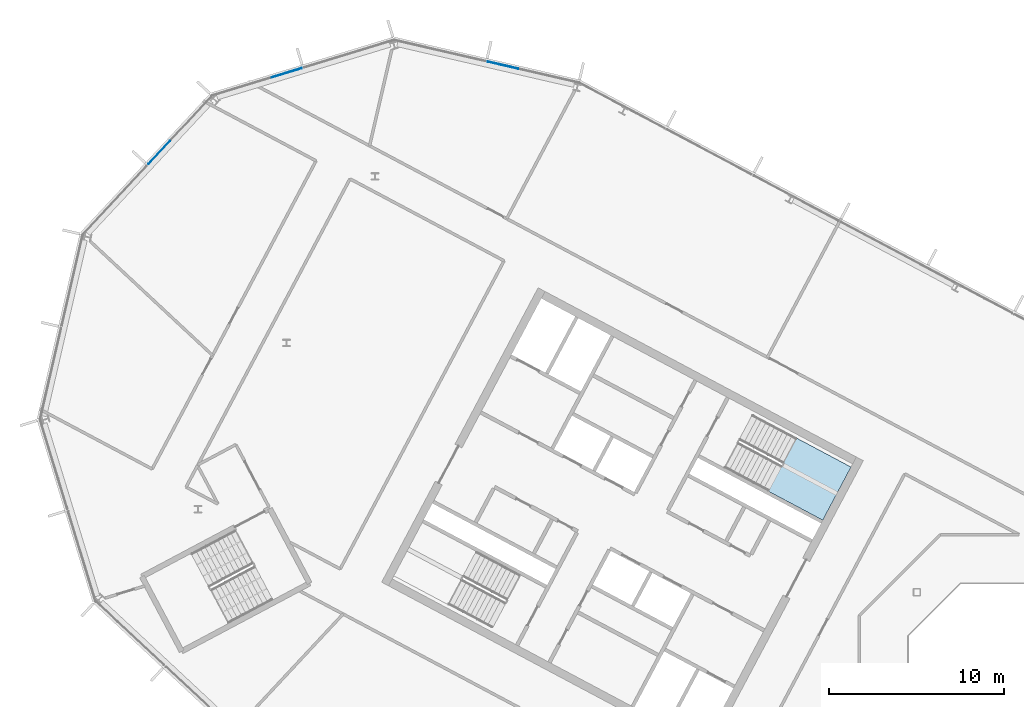
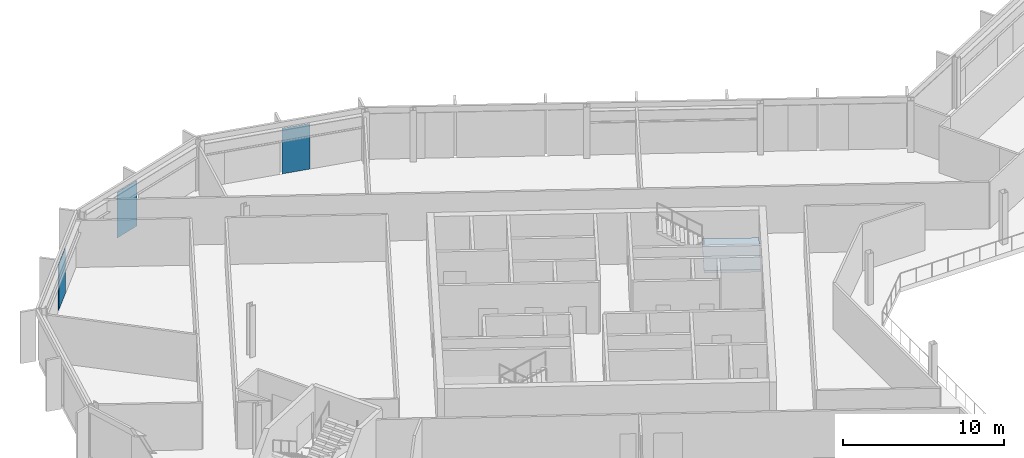
# One storey, part 11 of 26: 3 plates, 1 slab, 4 elements without a shape of their own.
"""IFC4 building model written with IfcOpenShell, lengths in metres."""

import ifcopenshell
import ifcopenshell.guid

model = None  # the IFC model being written
_history = None  # IfcOwnerHistory: only IFC2X3 demands one
_inside = {}  # id of a spatial element -> (the spatial element, [elements in it])
_under = {}  # id of a project, library or spatial element -> (it, [spatial elements below it])
_declared = {}  # id of a project -> (the project, [libraries it declares])
_typed = {}  # id of a type object -> (the type object, [elements of that type])
_made_of = {}  # id of a material, layer set ... -> (it, [elements and type objects made of it])


def new_model(schema):
    """Start an empty IFC model of exactly this schema.

    Asked for "IFC4X3", IfcOpenShell would pick the latest addendum, in which some entities
    have other attributes; the version numbers below select the first issue.
    IFC2X3 requires an IfcOwnerHistory on every rooted entity: one is made here for all.
    """
    global model, _history
    if schema == "IFC4X3":
        model = ifcopenshell.file(schema_version=(4, 3, 0, 0))
    else:
        model = ifcopenshell.file(schema=schema)
    _inside.clear()
    _under.clear()
    _declared.clear()
    _typed.clear()
    _made_of.clear()
    _history = None
    if model.schema == "IFC2X3":
        org = make("IfcOrganization", Name="unknown")
        user = make(
            "IfcPersonAndOrganization",
            ThePerson=make("IfcPerson", FamilyName="unknown"),
            TheOrganization=org,
        )
        app = make(
            "IfcApplication",
            ApplicationDeveloper=org,
            Version="unknown",
            ApplicationFullName="unknown",
            ApplicationIdentifier="unknown",
        )
        _history = make(
            "IfcOwnerHistory",
            OwningUser=user,
            OwningApplication=app,
            ChangeAction="ADDED",
            CreationDate=0,
        )
    return model


def make(cls, **values):
    """One entity of the class cls with the attributes given. An attribute that is None is left unset."""
    return model.create_entity(
        cls, **{name: value for name, value in values.items() if value is not None}
    )


def rooted(cls, **values):
    """An entity with a GlobalId (a new one), such as an element, a storey or a relation."""
    return make(cls, GlobalId=ifcopenshell.guid.new(), OwnerHistory=_history, **values)


def si_unit(unit_type, name, prefix=None):
    """IfcSIUnit, for example si_unit("LENGTHUNIT", "METRE", prefix="MILLI")."""
    return make("IfcSIUnit", UnitType=unit_type, Prefix=prefix, Name=name)


def assignment(units):
    """IfcUnitAssignment: the units of a project."""
    return None if units is None else make("IfcUnitAssignment", Units=units)


def point(xyz):
    """IfcCartesianPoint."""
    return None if xyz is None else make("IfcCartesianPoint", Coordinates=xyz)


def direction(xyz):
    """IfcDirection."""
    return None if xyz is None else make("IfcDirection", DirectionRatios=xyz)


def frame(location, z_axis=None, x_axis=None):
    """IfcAxis2Placement3D, a coordinate frame: its origin and axes. An axis left out is left unset."""
    return make(
        "IfcAxis2Placement3D",
        Location=point(location),
        Axis=direction(z_axis),
        RefDirection=direction(x_axis),
    )


def frame_2d(location, x_axis=None):
    """IfcAxis2Placement2D, a coordinate frame in the plane: its origin and x axis."""
    return make(
        "IfcAxis2Placement2D", Location=point(location), RefDirection=direction(x_axis)
    )


def origin():
    """The frame at (0, 0, 0) with its axes left unset."""
    return frame((0.0, 0.0, 0.0))


def origin_2d():
    """The frame at (0, 0) in the plane with its x axis left unset."""
    return frame_2d((0.0, 0.0))


def place(relative_to, where):
    """IfcLocalPlacement: puts the frame where relative to a parent placement (None: the world)."""
    return make(
        "IfcLocalPlacement", PlacementRelTo=relative_to, RelativePlacement=where
    )


def context(
    kind, dimensions, precision=None, world=None, true_north=None, identifier=None
):
    """IfcGeometricRepresentationContext, for example the 3D "Model" context."""
    return make(
        "IfcGeometricRepresentationContext",
        ContextIdentifier=identifier,
        ContextType=kind,
        CoordinateSpaceDimension=dimensions,
        Precision=precision,
        WorldCoordinateSystem=world,
        TrueNorth=true_north,
    )


def subcontext(parent, identifier, kind, view, scale=None):
    """IfcGeometricRepresentationSubContext, for example "Body" below "Model"."""
    return make(
        "IfcGeometricRepresentationSubContext",
        ContextIdentifier=identifier,
        ContextType=kind,
        ParentContext=parent,
        TargetScale=scale,
        TargetView=view,
    )


def project(units=None, contexts=None):
    """IfcProject with its units and contexts."""
    return rooted(
        "IfcProject",
        Name="project",
        RepresentationContexts=contexts,
        UnitsInContext=assignment(units),
    )


def spatial(cls, under=None, at=None, **own):
    """A site, building, storey or space (cls), placed at a placement, below another one or the project."""
    s = rooted(cls, ObjectPlacement=at, **own)
    if under is not None:
        _under.setdefault(under.id(), (under, []))[1].append(s)
    return s


def polyline(points):
    """IfcPolyline through the points."""
    return make("IfcPolyline", Points=[point(p) for p in points])


def profile(cls, at=None, kind="AREA", **sizes):
    """A parametric profile (cls). Its sizes go by their IFC names, for example OverallWidth=200.0."""
    return make(cls, ProfileType=kind, Position=at, **sizes)


def rectangle(**sizes):
    """IfcRectangleProfileDef."""
    return profile("IfcRectangleProfileDef", **sizes)


def outline(outer, holes=None, kind="AREA"):
    """IfcArbitraryClosedProfileDef: a profile drawn as a closed curve; with holes, ...WithVoids."""
    if holes is None:
        return make("IfcArbitraryClosedProfileDef", ProfileType=kind, OuterCurve=outer)
    return make(
        "IfcArbitraryProfileDefWithVoids",
        ProfileType=kind,
        OuterCurve=outer,
        InnerCurves=holes,
    )


def extrude(swept, where, along, depth):
    """IfcExtrudedAreaSolid: the profile swept, set in the frame where, extruded along a direction by depth."""
    return make(
        "IfcExtrudedAreaSolid",
        SweptArea=swept,
        Position=where,
        ExtrudedDirection=direction(along),
        Depth=depth,
    )


def shape(context_of_items, identifier, shape_type, items):
    """IfcShapeRepresentation: the items that make up one representation, for example the "Body"."""
    return make(
        "IfcShapeRepresentation",
        ContextOfItems=context_of_items,
        RepresentationIdentifier=identifier,
        RepresentationType=shape_type,
        Items=items,
    )


def material(Name=None, Category=None):
    """IfcMaterial."""
    return make("IfcMaterial", Name=Name, Category=Category)


def layer(
    of_material, thickness, ventilated=None, Name=None, Category=None, Priority=None
):
    """IfcMaterialLayer: one layer of a wall or slab, of a material (None: an air gap)."""
    return make(
        "IfcMaterialLayer",
        Material=of_material,
        LayerThickness=thickness,
        IsVentilated=ventilated,
        Name=Name,
        Category=Category,
        Priority=Priority,
    )


def layer_set(layers, Name=None):
    """IfcMaterialLayerSet."""
    return make("IfcMaterialLayerSet", MaterialLayers=layers, LayerSetName=Name)


def made_of(thing, what):
    """Note that an element or type object is made of a material, layer set ...; save() writes the relation."""
    if what is not None:
        _made_of.setdefault(what.id(), (what, []))[1].append(thing)
    return thing


def type_object(cls, material=None, **own):
    """A type object (cls), such as IfcWallType, which elements share."""
    return made_of(rooted(cls, **own), material)


def element(
    cls,
    number,
    at=None,
    inside=None,
    cuts=None,
    type_object=None,
    material=None,
    context=None,
    identifier="Body",
    shape_type=None,
    held_by="IfcProductDefinitionShape",
    body=None,
    shapes=None,
    **own,
):
    """One element of the class cls, such as IfcWall. Its Tag is "e" and its number.

    at: its placement. inside: the storey or other place that contains it. cuts: it is an
    opening in that element (IfcRelVoidsElement). A single representation is given by context,
    identifier, shape_type and body (its items); several are given by shapes. held_by: the class
    of the entity that holds the representations. save() writes the other relations.
    """
    e = rooted(cls, Tag="e%d" % number, ObjectPlacement=at, **own)
    if body is not None:
        shapes = [shape(context, identifier, shape_type, body)]
    if shapes is not None:
        e.Representation = make(held_by, Representations=shapes)
    if inside is not None:
        _inside.setdefault(inside.id(), (inside, []))[1].append(e)
    if cuts is not None:
        rooted(
            "IfcRelVoidsElement", RelatingBuildingElement=cuts, RelatedOpeningElement=e
        )
    if type_object is not None:
        _typed.setdefault(type_object.id(), (type_object, []))[1].append(e)
    return made_of(e, material)


def aggregate(whole, parts):
    """IfcRelAggregates: a whole, such as a stair, and the parts it consists of."""
    return rooted("IfcRelAggregates", RelatingObject=whole, RelatedObjects=parts)


def save(model, path):
    """Write the relations noted so far, then the file.

    IfcRelAggregates (storeys below a building ...), IfcRelContainedInSpatialStructure (elements
    in a storey), IfcRelDefinesByType, IfcRelAssociatesMaterial and IfcRelDeclares: one each for
    every whole, place, type object, material and project.
    """
    for whole, parts in _under.values():
        aggregate(whole, parts)
    for where, things in _inside.values():
        rooted(
            "IfcRelContainedInSpatialStructure",
            RelatedElements=things,
            RelatingStructure=where,
        )
    for kind, things in _typed.values():
        rooted("IfcRelDefinesByType", RelatedObjects=things, RelatingType=kind)
    for what, things in _made_of.values():
        rooted("IfcRelAssociatesMaterial", RelatedObjects=things, RelatingMaterial=what)
    for by, libraries in _declared.values():
        rooted("IfcRelDeclares", RelatingContext=by, RelatedDefinitions=libraries)
    model.write(path)


model = new_model("IFC4")

# Units and contexts
model_context = context("Model", 3, precision=1e-05, world=origin(), true_north=direction((0.0, 1.0)))
body_context = subcontext(model_context, "Body", "Model", "MODEL_VIEW")
ifc_project = project(units=[si_unit("LENGTHUNIT", "METRE"), si_unit("AREAUNIT", "SQUARE_METRE"), si_unit("VOLUMEUNIT", "CUBIC_METRE"), si_unit("PLANEANGLEUNIT", "RADIAN"), si_unit("MASSUNIT", "GRAM", prefix="KILO")], contexts=[model_context])

# Site, building, storey
site_placement = place(None, origin())
site = spatial("IfcSite", under=ifc_project, at=site_placement, CompositionType="ELEMENT")
building_placement = place(site_placement, origin())
building = spatial("IfcBuilding", under=site, at=building_placement, Name="Cormorant Relay Tower", CompositionType="ELEMENT")
storey_placement = place(building_placement, frame((0.0, 0.0, 277.5)))
storey = spatial("IfcBuildingStorey", under=building, at=storey_placement, Name="L62", CompositionType="ELEMENT", Elevation=277.5)

# Curtain wall, plate
ifc_material_1 = material(Name="Aluminium 6063-T6 anodised bronze", Category="aluminium")
ifc_layer_1 = layer(ifc_material_1, 0.199951171875)
ifc_layer_set_1 = layer_set([ifc_layer_1], Name="CW1 unitised bronze curtain wall with vertical fins")
curtain_wall_type = type_object("IfcCurtainWallType", Name="CW1 unitised bronze curtain wall with vertical fins", PredefinedType="NOTDEFINED", material=ifc_layer_set_1)
curtain_wall_1_placement = place(storey_placement, origin())
curtain_wall_1 = element("IfcCurtainWall", 1, at=curtain_wall_1_placement, inside=storey, type_object=curtain_wall_type, Name="CW1 curtain wall 10", PredefinedType="NOTDEFINED")
ifc_material_2 = material(Name="Tinted laminated glass", Category="glass")
ifc_layer_2 = layer(ifc_material_2, 0.0400390625)
ifc_layer_set_2 = layer_set([ifc_layer_2], Name="CW1 tinted vision panel 1800 module")
plate_type = type_object("IfcPlateType", Name="CW1 tinted vision panel 1800 module", PredefinedType="CURTAIN_PANEL", material=ifc_layer_set_2)
plate_1_placement = place(storey_placement, frame((-34.215087890625, 40.69091796875, 0.0), z_axis=(0.0, 0.0, 1.0), x_axis=(-0.974370064785, 0.224951054344, 0.0)))
plate_1 = element("IfcPlate", 2, at=plate_1_placement, type_object=plate_type, Name="CW1 panel V01", PredefinedType="CURTAIN_PANEL", context=body_context, shape_type="SweptSolid", body=[
    extrude(rectangle(XDim=1.800048828125, YDim=0.0400390625, at=origin_2d()), origin(), (0.0, 0.0, 1.0), 3.449951171875),
])
aggregate(curtain_wall_1, [plate_1])

curtain_wall_2_placement = place(storey_placement, origin())
curtain_wall_2 = element("IfcCurtainWall", 3, at=curtain_wall_2_placement, inside=storey, type_object=curtain_wall_type, Name="CW1 curtain wall 11", PredefinedType="NOTDEFINED")
plate_2_placement = place(storey_placement, frame((-46.6015625, 40.25830078125, 0.0), z_axis=(0.0, 0.0, 1.0), x_axis=(-0.956304755963, -0.292371704723, 0.0)))
plate_2 = element("IfcPlate", 4, at=plate_2_placement, type_object=plate_type, Name="CW1 panel V01", PredefinedType="CURTAIN_PANEL", context=body_context, shape_type="SweptSolid", body=[
    extrude(rectangle(XDim=1.800048828125, YDim=0.0400390625, at=origin_2d()), origin(), (0.0, 0.0, 1.0), 3.449951171875),
])
aggregate(curtain_wall_2, [plate_2])

curtain_wall_3_placement = place(storey_placement, origin())
curtain_wall_3 = element("IfcCurtainWall", 5, at=curtain_wall_3_placement, inside=storey, type_object=curtain_wall_type, Name="CW1 curtain wall 12", PredefinedType="NOTDEFINED")
plate_3_placement = place(storey_placement, frame((-53.91748046875, 35.68701171875, 0.0), z_axis=(0.0, 0.0, 1.0), x_axis=(-0.681998360062, -0.731353701619, 0.0)))
plate_3 = element("IfcPlate", 6, at=plate_3_placement, type_object=plate_type, Name="CW1 panel V01", PredefinedType="CURTAIN_PANEL", context=body_context, shape_type="SweptSolid", body=[
    extrude(rectangle(XDim=1.800048828125, YDim=0.0400390625, at=origin_2d()), origin(), (0.0, 0.0, 1.0), 3.449951171875),
])
aggregate(curtain_wall_3, [plate_3])

# Stair, slab
ifc_material_3 = material(Name="Concrete 40 MPa", Category="concrete")
stair_type = type_object("IfcStairType", Name="Exit stair 1500", PredefinedType="HALF_TURN_STAIR", material=ifc_material_3)
stair_placement = place(storey_placement, origin())
stair = element("IfcStair", 7, at=stair_placement, inside=storey, type_object=stair_type, Name="L62 Stair", PredefinedType="HALF_TURN_STAIR")
ifc_material_4 = material(Name="Concrete 40 MPa", Category="concrete")
ifc_layer_3 = layer(ifc_material_4, 0.199951171875)
ifc_layer_set_3 = layer_set([ifc_layer_3], Name="Exit stair landing 200")
slab_type = type_object("IfcSlabType", Name="Exit stair landing 200", PredefinedType="LANDING", material=ifc_layer_set_3)
slab_placement = place(storey_placement, frame((0.0, 0.0, 1.75)))
slab = element("IfcSlab", 8, at=slab_placement, type_object=slab_type, Name="A1 landing 1", PredefinedType="LANDING", context=body_context, shape_type="SweptSolid", body=[
    extrude(outline(polyline([(-19.029541015625, 16.29052734375), (-15.89501953125, 14.6240234375), (-14.275390625, 17.670166015625), (-17.40966796875, 19.3369140625), (-19.029541015625, 16.29052734375)])), origin(), (0.0, 0.0, 1.0), 0.199951171875),
])
aggregate(stair, [slab])

save(model, "model.ifc")
